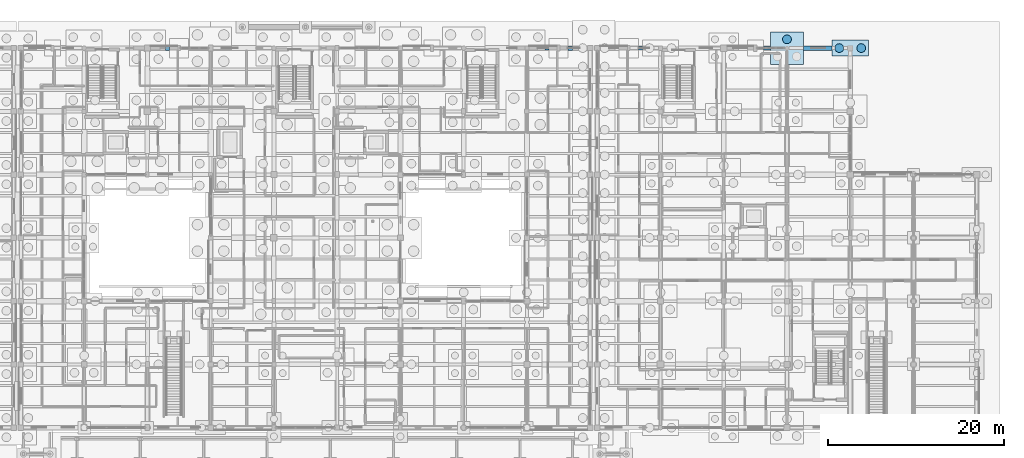
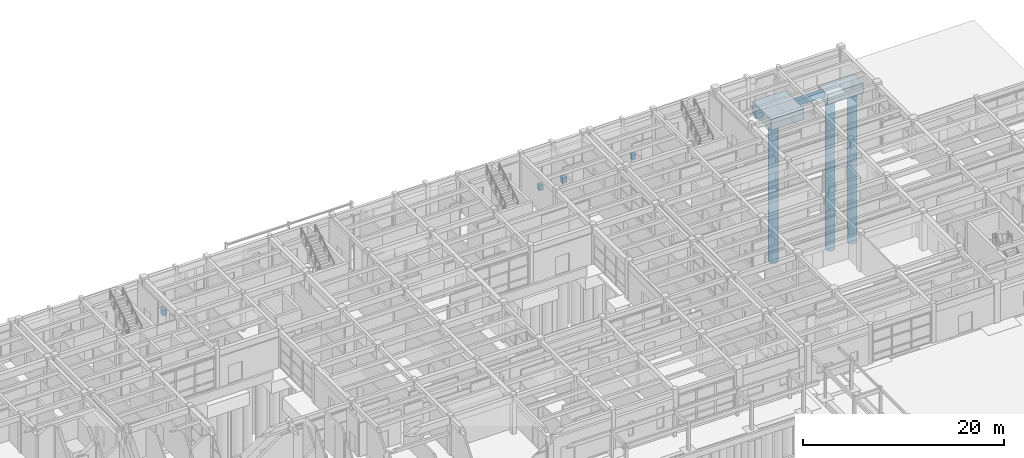
# One storey, part 13 of 143: 8 footings, 3 piles.
"""IFC4 building model written with IfcOpenShell, lengths in metres."""

from ifc_helpers import new_model, si_unit, direction, frame, origin, origin_2d, place, context, subcontext, project, spatial, rectangle, circle, extrude, material, material_profile, profile_set, type_object, element, save


model = new_model("IFC4")

# Units and contexts
model_context = context("Model", 3, precision=1e-05, world=origin(), true_north=direction((0.0, 1.0)))
body_context = subcontext(model_context, "Body", "Model", "MODEL_VIEW")
ifc_project = project(units=[si_unit("LENGTHUNIT", "METRE"), si_unit("AREAUNIT", "SQUARE_METRE"), si_unit("VOLUMEUNIT", "CUBIC_METRE"), si_unit("PLANEANGLEUNIT", "RADIAN"), si_unit("MASSUNIT", "GRAM", prefix="KILO")], contexts=[model_context])

# Site, building, storey
site_placement = place(None, origin())
site = spatial("IfcSite", under=ifc_project, at=site_placement, CompositionType="ELEMENT")
building_placement = place(site_placement, origin())
building = spatial("IfcBuilding", under=site, at=building_placement, Name="Steenspoor Specialist Clinic", CompositionType="ELEMENT")
storey_placement = place(building_placement, origin())
storey = spatial("IfcBuildingStorey", under=building, at=storey_placement, Name="L00", CompositionType="ELEMENT", Elevation=0.0)

# Footings
ifc_material = material(Name="Concrete C35/45", Category="concrete")
footing_type_1 = type_object("IfcFootingType", Name="FTG-PC-2P-1000", PredefinedType="PILE_CAP", material=ifc_material)
footing_1_placement = place(storey_placement, frame((146.800048828125, 108.35009765625, -1.25), z_axis=(0.0, 0.0, 1.0), x_axis=(1.0, 0.0, 0.0)))
element("IfcFooting", 1, at=footing_1_placement, inside=storey, type_object=footing_type_1, Name="Pile Cap FTG-PC-226", PredefinedType="PILE_CAP", context=body_context, shape_type="SweptSolid", body=[
    extrude(rectangle(XDim=4.10009765625, YDim=1.800048828125, at=origin_2d()), origin(), (0.0, 0.0, 1.0), 1.25),
])
footing_type_2 = type_object("IfcFootingType", Name="FTG-PC-3P-1000", PredefinedType="PILE_CAP", material=ifc_material)
footing_2_placement = place(storey_placement, frame((139.60009765625, 108.35009765625, -1.2998046875), z_axis=(0.0, 0.0, 1.0), x_axis=(1.0, 0.0, 0.0)))
element("IfcFooting", 2, at=footing_2_placement, inside=storey, type_object=footing_type_2, Name="Pile Cap FTG-PC-219", PredefinedType="PILE_CAP", context=body_context, shape_type="SweptSolid", body=[
    extrude(rectangle(XDim=3.800048828125, YDim=3.699951171875, at=origin_2d()), origin(), (0.0, 0.0, 1.0), 1.300048828125),
])
footing_type_3 = type_object("IfcFootingType", Name="FTG-TB-450X650", PredefinedType="FOOTING_BEAM", material=ifc_material)
for number, where, z_axis, x_axis, name in (
    (3, (112.27490234375, 108.35009765625, -0.64990234375), (0.0, 0.0, 1.0), (1.0, 0.0, 0.0), "Seismic Tie Beam FTG-TB-254"),
    (4, (122.925048828125, 108.35009765625, -0.64990234375), (0.0, 0.0, 1.0), (1.0, 0.0, 0.0), "Seismic Tie Beam FTG-TB-257"),
):
    element("IfcFooting", number, at=place(storey_placement, frame(where, z_axis=z_axis, x_axis=x_axis)), inside=storey, type_object=footing_type_3, Name=name, PredefinedType="FOOTING_BEAM", context=body_context, shape_type="SweptSolid", body=[
        extrude(rectangle(XDim=0.449951171875, YDim=0.449951171875, at=origin_2d()), origin(), (0.0, 0.0, 1.0), 0.64990234375),
    ])
footing_3_placement = place(storey_placement, frame((137.300048828125, 108.35009765625, -0.64990234375), z_axis=(0.0, 0.0, 1.0), x_axis=(1.0, 0.0, 0.0)))
element("IfcFooting", 5, at=footing_3_placement, inside=storey, type_object=footing_type_3, Name="Seismic Tie Beam FTG-TB-260", PredefinedType="FOOTING_BEAM", context=body_context, shape_type="SweptSolid", body=[
    extrude(rectangle(XDim=0.800048828125, YDim=0.449951171875, at=origin_2d()), origin(), (0.0, 0.0, 1.0), 0.64990234375),
])
footing_type_4 = type_object("IfcFootingType", Name="FTG-TB-500X700", PredefinedType="FOOTING_BEAM", material=ifc_material)
footing_4_placement = place(storey_placement, frame((69.074951171875, 108.35009765625, -0.7001953125), z_axis=(0.0, 0.0, 1.0), x_axis=(1.0, 0.0, 0.0)))
element("IfcFooting", 6, at=footing_4_placement, inside=storey, type_object=footing_type_4, Name="Seismic Tie Beam FTG-TB-249", PredefinedType="FOOTING_BEAM", context=body_context, shape_type="SweptSolid", body=[
    extrude(rectangle(XDim=0.449951171875, YDim=0.5, at=origin_2d()), origin(), (0.0, 0.0, 1.0), 0.699951171875),
])
footing_5_placement = place(storey_placement, frame((114.949951171875, 108.35009765625, -0.7001953125), z_axis=(0.0, 0.0, 1.0), x_axis=(1.0, 0.0, 0.0)))
element("IfcFooting", 7, at=footing_5_placement, inside=storey, type_object=footing_type_4, Name="Seismic Tie Beam FTG-TB-255", PredefinedType="FOOTING_BEAM", context=body_context, shape_type="SweptSolid", body=[
    extrude(rectangle(XDim=0.5, YDim=0.5, at=origin_2d()), origin(), (0.0, 0.0, 1.0), 0.699951171875),
])
footing_6_placement = place(storey_placement, frame((143.125, 108.35009765625, -0.7001953125), z_axis=(0.0, 0.0, 1.0), x_axis=(1.0, 0.0, 0.0)))
element("IfcFooting", 8, at=footing_6_placement, inside=storey, type_object=footing_type_4, Name="Seismic Tie Beam FTG-TB-261", PredefinedType="FOOTING_BEAM", context=body_context, shape_type="SweptSolid", body=[
    extrude(rectangle(XDim=3.25, YDim=0.5, at=origin_2d()), origin(), (0.0, 0.0, 1.0), 0.699951171875),
])

# Piles
ifc_material_profile = material_profile(ifc_material, circle(Radius=0.5, at=origin_2d()), Name="PILE-D1000")
ifc_profile_set = profile_set([ifc_material_profile], Name="Concrete C35/45")
pile_type = type_object("IfcPileType", Name="PILE-RC-D1000", PredefinedType="BORED", material=ifc_profile_set)
pile_placement = place(storey_placement, frame((139.60009765625, 109.35009765625, -1.199951171875), z_axis=(0.0, 0.0, -1.0), x_axis=(1.0, 0.0, 0.0)))
element("IfcPile", 9, at=pile_placement, inside=storey, type_object=pile_type, Name="Bored Pile PILE-0572", PredefinedType="BORED", context=body_context, shape_type="SweptSolid", body=[
    extrude(circle(Radius=0.5, at=origin_2d()), origin(), (0.0, 0.0, 1.0), 18.300048828125),
])
for number, where, z_axis, x_axis, name in (
    (10, (145.550048828125, 108.35009765625, -1.14990234375), (0.0, 0.0, -1.0), (1.0, 0.0, 0.0), "Bored Pile PILE-0591"),
    (11, (148.050048828125, 108.35009765625, -1.14990234375), (0.0, 0.0, -1.0), (1.0, 0.0, 0.0), "Bored Pile PILE-0592"),
):
    element("IfcPile", number, at=place(storey_placement, frame(where, z_axis=z_axis, x_axis=x_axis)), inside=storey, type_object=pile_type, Name=name, PredefinedType="BORED", context=body_context, shape_type="SweptSolid", body=[
        extrude(circle(Radius=0.5, at=origin_2d()), origin(), (0.0, 0.0, 1.0), 18.35009765625),
    ])

save(model, "model.ifc")
